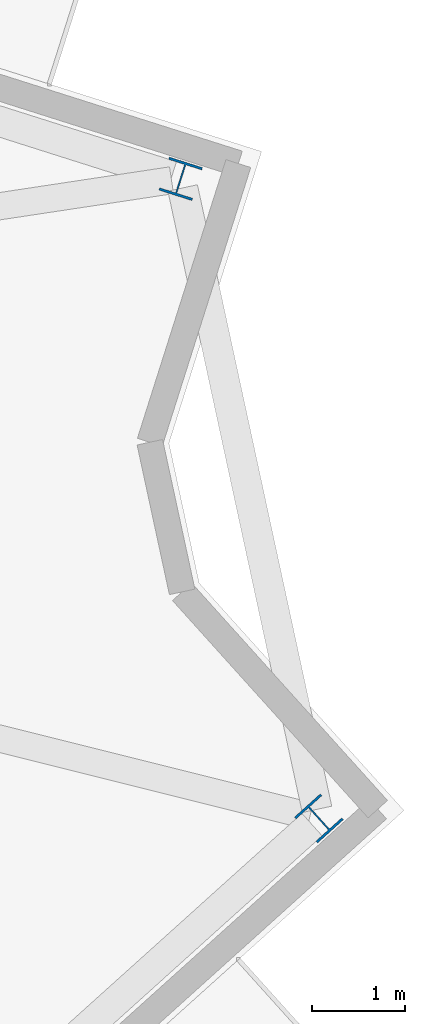
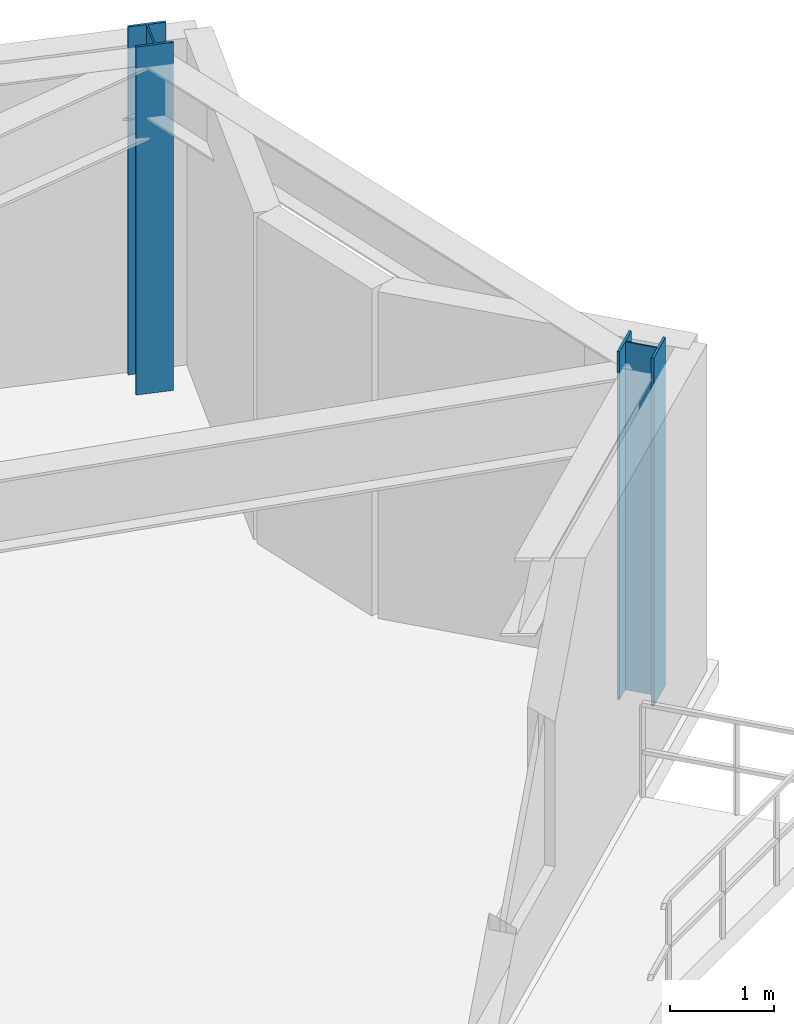
# One storey, part 3 of 11: 2 columns.
"""IFC4 building model written with IfcOpenShell, lengths in metres."""

from ifc_helpers import new_model, si_unit, direction, frame, origin, origin_2d, place, context, subcontext, project, spatial, i_section, extrude, material, material_profile, profile_set, type_object, element, save


model = new_model("IFC4")

# Units and contexts
model_context = context("Model", 3, precision=1e-05, world=origin(), true_north=direction((0.0, 1.0)))
body_context = subcontext(model_context, "Body", "Model", "MODEL_VIEW")
ifc_project = project(units=[si_unit("LENGTHUNIT", "METRE"), si_unit("AREAUNIT", "SQUARE_METRE"), si_unit("VOLUMEUNIT", "CUBIC_METRE"), si_unit("PLANEANGLEUNIT", "RADIAN"), si_unit("MASSUNIT", "GRAM", prefix="KILO")], contexts=[model_context])

# Site, building, storey
site_placement = place(None, origin())
site = spatial("IfcSite", under=ifc_project, at=site_placement, CompositionType="ELEMENT")
building_placement = place(site_placement, origin())
building = spatial("IfcBuilding", under=site, at=building_placement, Name="Apsidion Concourse Tower", CompositionType="ELEMENT")
storey_placement = place(building_placement, frame((0.0, 0.0, 236.300048828125)))
storey = spatial("IfcBuildingStorey", under=building, at=storey_placement, Name="L55", CompositionType="ELEMENT", Elevation=236.300048828125)

# Columns
ifc_material = material(Name="Structural steel ASTM A992 Grade 50", Category="steel")
ifc_material_profile = material_profile(ifc_material, i_section(OverallWidth=0.373046875, OverallDepth=0.373046875, WebThickness=0.016357421875, FlangeThickness=0.026123046875, at=origin_2d()), Name="W14X132")
ifc_profile_set = profile_set([ifc_material_profile], Name="Structural steel ASTM A992 Grade 50")
column_type = type_object("IfcColumnType", Name="COL-W14-132", PredefinedType="COLUMN", material=ifc_profile_set)
for number, where, z_axis, x_axis, name in (
    (1, (30.300537109375, 2.81591796875, 0.0), (0.0, 0.0, 1.0), (0.743144825477, 0.669130606359, 0.0), "L55 Rotated Perimeter Column PC08"),
    (2, (28.811279296875, 9.705810546875, 0.0), (0.0, 0.0, 1.0), (-0.953137879774, 0.3025362493, 0.0), "L55 Rotated Perimeter Column PC09"),
):
    element("IfcColumn", number, at=place(storey_placement, frame(where, z_axis=z_axis, x_axis=x_axis)), inside=storey, type_object=column_type, Name=name, PredefinedType="COLUMN", context=body_context, shape_type="SweptSolid", body=[
        extrude(i_section(OverallWidth=0.373046875, OverallDepth=0.373046875, WebThickness=0.016357421875, FlangeThickness=0.026123046875, at=origin_2d()), origin(), (0.0, 0.0, 1.0), 4.099853515625),
    ])

save(model, "model.ifc")
